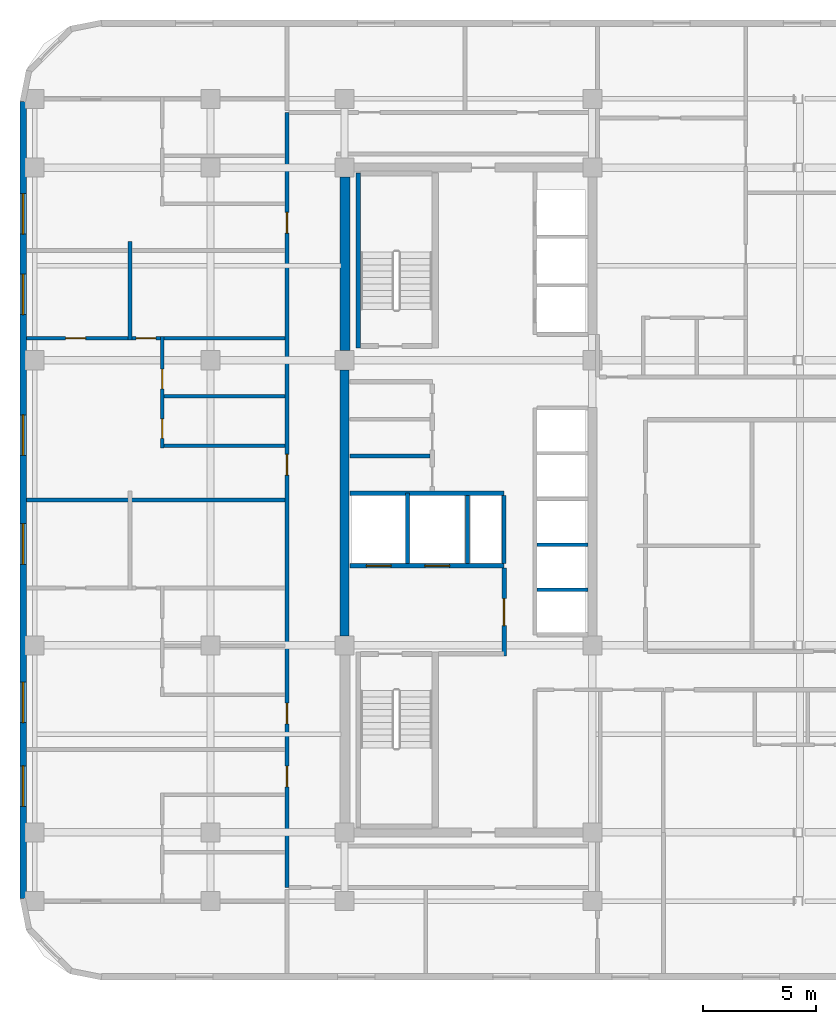
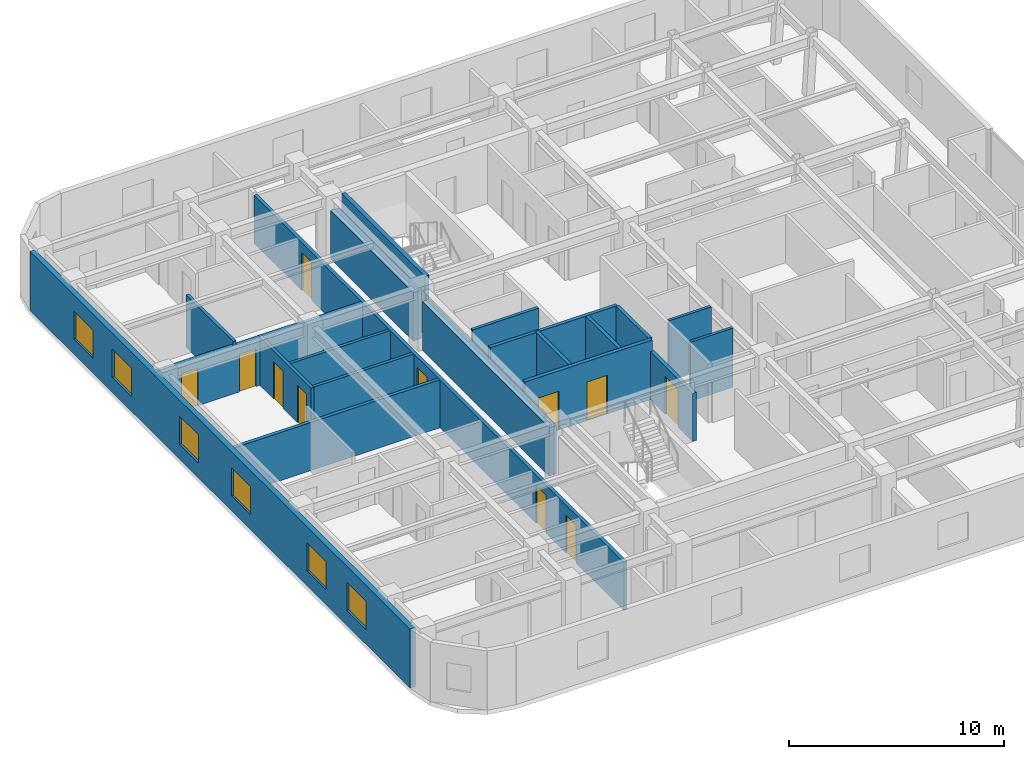
# One storey, part 5 of 9: 20 walls, 11 doors, 6 windows, 17 openings.
"""IFC4 building model written with IfcOpenShell, lengths in metres."""

from ifc_helpers import new_model, si_unit, direction, frame, frame_2d, origin, place, context, subcontext, project, spatial, rectangle, extrude, material, layer, layer_set, type_object, element, fill, save


model = new_model("IFC4")

# Units and contexts
model_context = context("Model", 3, precision=1e-05, world=origin(), true_north=direction((0.0, 1.0)))
body_context = subcontext(model_context, "Body", "Model", "MODEL_VIEW")
ifc_project = project(units=[si_unit("LENGTHUNIT", "METRE"), si_unit("AREAUNIT", "SQUARE_METRE"), si_unit("VOLUMEUNIT", "CUBIC_METRE"), si_unit("PLANEANGLEUNIT", "RADIAN"), si_unit("MASSUNIT", "GRAM", prefix="KILO")], contexts=[model_context])

# Site, building, storey
site_placement = place(None, origin())
site = spatial("IfcSite", under=ifc_project, at=site_placement, CompositionType="ELEMENT")
building_placement = place(site_placement, origin())
building = spatial("IfcBuilding", under=site, at=building_placement, Name="Ochreholt Gables", CompositionType="ELEMENT")
storey_placement = place(building_placement, frame((0.0, 0.0, 124.800048828125)))
storey = spatial("IfcBuildingStorey", under=building, at=storey_placement, Name="L32", CompositionType="ELEMENT", Elevation=124.800048828125)

# Walls
ifc_material_1 = material(Name="Concrete 60 MPa", Category="concrete")
ifc_layer_1 = layer(ifc_material_1, 0.39990234375, Name="Concrete 60 MPa")
ifc_layer_set_1 = layer_set([ifc_layer_1], Name="Concrete 60 MPa")
wall_type_1 = type_object("IfcWallType", Name="WALL-CSW-400", PredefinedType="SHEAR", material=ifc_layer_set_1)
wall_1_placement = place(storey_placement, frame((24.199951171875, 17.97509765625, 0.0), z_axis=(0.0, 0.0, 1.0), x_axis=(0.0, 1.0, 0.0)))
element("IfcWall", 1, at=wall_1_placement, inside=storey, type_object=wall_type_1, Name="L32 Core West Shear Wall WM", PredefinedType="SHEAR", context=body_context, shape_type="SweptSolid", body=[
    extrude(rectangle(XDim=11.7998046875, YDim=0.39990234375, at=frame_2d((5.89990234375, 0.0))), origin(), (0.0, 0.0, 1.0), 2.7490234375),
])
ifc_layer_2 = layer(ifc_material_1, 0.449951171875, Name="Concrete 60 MPa")
ifc_layer_set_2 = layer_set([ifc_layer_2], Name="Concrete 60 MPa")
wall_type_2 = type_object("IfcWallType", Name="WALL-CSW-450", PredefinedType="SHEAR", material=ifc_layer_set_2)
wall_2_placement = place(storey_placement, frame((24.22509765625, 30.625, 0.0), z_axis=(0.0, 0.0, 1.0), x_axis=(0.0, 1.0, 0.0)))
element("IfcWall", 2, at=wall_2_placement, inside=storey, type_object=wall_type_2, Name="L32 Core West Shear Wall WN", PredefinedType="SHEAR", context=body_context, shape_type="SweptSolid", body=[
    extrude(rectangle(XDim=7.699951171875, YDim=0.449951171875, at=frame_2d((3.85009765625, 0.0))), origin(), (0.0, 0.0, 1.0), 2.7490234375),
])

# Wall, openings, windows
ifc_material_2 = material(Name="Precast concrete 40 MPa", Category="concrete")
ifc_layer_3 = layer(ifc_material_2, 0.280029296875, Name="Precast concrete 40 MPa")
ifc_layer_set_3 = layer_set([ifc_layer_3], Name="Precast concrete 40 MPa")
wall_type_3 = type_object("IfcWallType", Name="WALL-EXT-280", PredefinedType="SOLIDWALL", material=ifc_layer_set_3)
wall_3_placement = place(storey_placement, frame((9.93994140625, 41.679931640625, 0.0), z_axis=(0.0, 0.0, 1.0), x_axis=(0.0, -1.0, 0.0)))
wall_3 = element("IfcWall", 3, at=wall_3_placement, inside=storey, type_object=wall_type_3, Name="L32 West Exterior Wall", PredefinedType="SOLIDWALL", context=body_context, shape_type="SweptSolid", body=[
    extrude(rectangle(XDim=35.35986328125, YDim=0.280029296875, at=frame_2d((17.679931640625, 0.0))), origin(), (0.0, 0.0, 1.0), 3.35986328125),
])
opening_1_placement = place(wall_3_placement, frame((29.472900390625, 0.0, 0.85009765625)))
opening_1 = element("IfcOpeningElement", 4, at=opening_1_placement, cuts=wall_3, Name="Opening WN-1", PredefinedType="OPENING", context=body_context, shape_type="SweptSolid", body=[
    extrude(rectangle(XDim=1.800048828125, YDim=1.60009765625, at=frame_2d((0.89990234375, 0.800048828125))), frame((0.0, 0.14990234375, 0.0), z_axis=(0.0, -1.0, 0.0), x_axis=(1.0, 0.0, 0.0)), (0.0, 0.0, 1.0), 0.300048828125),
])
opening_2_placement = place(wall_3_placement, frame((25.762939453125, 0.0, 0.85009765625)))
opening_2 = element("IfcOpeningElement", 5, at=opening_2_placement, cuts=wall_3, Name="Opening WN-1", PredefinedType="OPENING", context=body_context, shape_type="SweptSolid", body=[
    extrude(rectangle(XDim=1.800048828125, YDim=1.60009765625, at=frame_2d((0.89990234375, 0.800048828125))), frame((0.0, 0.14990234375, 0.0), z_axis=(0.0, -1.0, 0.0), x_axis=(1.0, 0.0, 0.0)), (0.0, 0.0, 1.0), 0.300048828125),
])
opening_3_placement = place(wall_3_placement, frame((18.731689453125, 0.0, 0.85009765625)))
opening_3 = element("IfcOpeningElement", 6, at=opening_3_placement, cuts=wall_3, Name="Opening WN-1", PredefinedType="OPENING", context=body_context, shape_type="SweptSolid", body=[
    extrude(rectangle(XDim=1.800048828125, YDim=1.60009765625, at=frame_2d((0.89990234375, 0.800048828125))), frame((0.0, 0.14990234375, 0.0), z_axis=(0.0, -1.0, 0.0), x_axis=(1.0, 0.0, 0.0)), (0.0, 0.0, 1.0), 0.300048828125),
])
opening_4_placement = place(wall_3_placement, frame((13.89990234375, 0.0, 0.85009765625)))
opening_4 = element("IfcOpeningElement", 7, at=opening_4_placement, cuts=wall_3, Name="Opening WN-1", PredefinedType="OPENING", context=body_context, shape_type="SweptSolid", body=[
    extrude(rectangle(XDim=1.800048828125, YDim=1.60009765625, at=frame_2d((0.89990234375, 0.800048828125))), frame((0.0, 0.14990234375, 0.0), z_axis=(0.0, -1.0, 0.0), x_axis=(1.0, 0.0, 0.0)), (0.0, 0.0, 1.0), 0.300048828125),
])
opening_5_placement = place(wall_3_placement, frame((7.65576171875, 0.0, 0.85009765625)))
opening_5 = element("IfcOpeningElement", 8, at=opening_5_placement, cuts=wall_3, Name="Opening WN-1", PredefinedType="OPENING", context=body_context, shape_type="SweptSolid", body=[
    extrude(rectangle(XDim=1.800048828125, YDim=1.60009765625, at=frame_2d((0.89990234375, 0.800048828125))), frame((0.0, 0.14990234375, 0.0), z_axis=(0.0, -1.0, 0.0), x_axis=(1.0, 0.0, 0.0)), (0.0, 0.0, 1.0), 0.300048828125),
])
opening_6_placement = place(wall_3_placement, frame((4.0869140625, 0.0, 0.85009765625)))
opening_6 = element("IfcOpeningElement", 9, at=opening_6_placement, cuts=wall_3, Name="Opening WN-1", PredefinedType="OPENING", context=body_context, shape_type="SweptSolid", body=[
    extrude(rectangle(XDim=1.800048828125, YDim=1.60009765625, at=frame_2d((0.89990234375, 0.800048828125))), frame((0.0, 0.14990234375, 0.0), z_axis=(0.0, -1.0, 0.0), x_axis=(1.0, 0.0, 0.0)), (0.0, 0.0, 1.0), 0.300048828125),
])
ifc_material_3 = material(Name="Triple-Glazed Thermally Broken Aluminium Window", Category="aluminium")
window_type = type_object("IfcWindowType", Name="WIN-RES-1800", PartitioningType="SINGLE_PANEL", PredefinedType="WINDOW", material=ifc_material_3)
window_1_placement = place(opening_1_placement, origin())
window_1 = element("IfcWindow", 10, at=window_1_placement, inside=storey, type_object=window_type, Name="L32 Window W-EXT-W-L32-1", OverallHeight=1.60009765625, OverallWidth=1.800048828125, PartitioningType="SINGLE_PANEL", PredefinedType="WINDOW", context=body_context, shape_type="SweptSolid", body=[
    extrude(rectangle(XDim=1.800048828125, YDim=1.60009765625, at=frame_2d((0.89990234375, 0.800048828125))), frame((0.0, 0.030029296875, 0.0), z_axis=(0.0, -1.0, 0.0), x_axis=(1.0, 0.0, 0.0)), (0.0, 0.0, 1.0), 0.06005859375),
])
fill(opening_1, window_1)
window_2_placement = place(opening_2_placement, origin())
window_2 = element("IfcWindow", 11, at=window_2_placement, inside=storey, type_object=window_type, Name="L32 Window W-EXT-W-L32-2", OverallHeight=1.60009765625, OverallWidth=1.800048828125, PartitioningType="SINGLE_PANEL", PredefinedType="WINDOW", context=body_context, shape_type="SweptSolid", body=[
    extrude(rectangle(XDim=1.800048828125, YDim=1.60009765625, at=frame_2d((0.89990234375, 0.800048828125))), frame((0.0, 0.030029296875, 0.0), z_axis=(0.0, -1.0, 0.0), x_axis=(1.0, 0.0, 0.0)), (0.0, 0.0, 1.0), 0.06005859375),
])
fill(opening_2, window_2)
window_3_placement = place(opening_3_placement, origin())
window_3 = element("IfcWindow", 12, at=window_3_placement, inside=storey, type_object=window_type, Name="L32 Window W-EXT-W-L32-3", OverallHeight=1.60009765625, OverallWidth=1.800048828125, PartitioningType="SINGLE_PANEL", PredefinedType="WINDOW", context=body_context, shape_type="SweptSolid", body=[
    extrude(rectangle(XDim=1.800048828125, YDim=1.60009765625, at=frame_2d((0.89990234375, 0.800048828125))), frame((0.0, 0.030029296875, 0.0), z_axis=(0.0, -1.0, 0.0), x_axis=(1.0, 0.0, 0.0)), (0.0, 0.0, 1.0), 0.06005859375),
])
fill(opening_3, window_3)
window_4_placement = place(opening_4_placement, origin())
window_4 = element("IfcWindow", 13, at=window_4_placement, inside=storey, type_object=window_type, Name="L32 Window W-EXT-W-L32-4", OverallHeight=1.60009765625, OverallWidth=1.800048828125, PartitioningType="SINGLE_PANEL", PredefinedType="WINDOW", context=body_context, shape_type="SweptSolid", body=[
    extrude(rectangle(XDim=1.800048828125, YDim=1.60009765625, at=frame_2d((0.89990234375, 0.800048828125))), frame((0.0, 0.030029296875, 0.0), z_axis=(0.0, -1.0, 0.0), x_axis=(1.0, 0.0, 0.0)), (0.0, 0.0, 1.0), 0.06005859375),
])
fill(opening_4, window_4)
window_5_placement = place(opening_5_placement, origin())
window_5 = element("IfcWindow", 14, at=window_5_placement, inside=storey, type_object=window_type, Name="L32 Window W-EXT-W-L32-5", OverallHeight=1.60009765625, OverallWidth=1.800048828125, PartitioningType="SINGLE_PANEL", PredefinedType="WINDOW", context=body_context, shape_type="SweptSolid", body=[
    extrude(rectangle(XDim=1.800048828125, YDim=1.60009765625, at=frame_2d((0.89990234375, 0.800048828125))), frame((0.0, 0.030029296875, 0.0), z_axis=(0.0, -1.0, 0.0), x_axis=(1.0, 0.0, 0.0)), (0.0, 0.0, 1.0), 0.06005859375),
])
fill(opening_5, window_5)
window_6_placement = place(opening_6_placement, origin())
window_6 = element("IfcWindow", 15, at=window_6_placement, inside=storey, type_object=window_type, Name="L32 Window W-EXT-W-L32-6", OverallHeight=1.60009765625, OverallWidth=1.800048828125, PartitioningType="SINGLE_PANEL", PredefinedType="WINDOW", context=body_context, shape_type="SweptSolid", body=[
    extrude(rectangle(XDim=1.800048828125, YDim=1.60009765625, at=frame_2d((0.89990234375, 0.800048828125))), frame((0.0, 0.030029296875, 0.0), z_axis=(0.0, -1.0, 0.0), x_axis=(1.0, 0.0, 0.0)), (0.0, 0.0, 1.0), 0.06005859375),
])
fill(opening_6, window_6)

# Wall, openings, doors
ifc_material_4 = material(Name="Concrete 40 MPa", Category="concrete")
ifc_layer_4 = layer(ifc_material_4, 0.199951171875, Name="Concrete 40 MPa")
ifc_layer_set_4 = layer_set([ifc_layer_4], Name="Concrete 40 MPa")
wall_type_4 = type_object("IfcWallType", Name="WALL-INT-CF200", PredefinedType="STANDARD", material=ifc_layer_set_4)
wall_4_placement = place(storey_placement, frame((24.449951171875, 21.090087890625, 0.0), z_axis=(0.0, 0.0, 1.0), x_axis=(1.0, 0.0, 0.0)))
wall_4 = element("IfcWall", 16, at=wall_4_placement, inside=storey, type_object=wall_type_4, Name="L32 Interior Wall WI-FFN-L32", PredefinedType="STANDARD", context=body_context, shape_type="SweptSolid", body=[
    extrude(rectangle(XDim=6.830078125, YDim=0.199951171875, at=frame_2d((3.4150390625, 0.0))), origin(), (0.0, 0.0, 1.0), 3.35986328125),
])
opening_7_placement = place(wall_4_placement, frame((0.719970703125, 0.0, 0.0)))
opening_7 = element("IfcOpeningElement", 17, at=opening_7_placement, cuts=wall_4, Name="Opening LD-FF", PredefinedType="OPENING", context=body_context, shape_type="SweptSolid", body=[
    extrude(rectangle(XDim=1.10009765625, YDim=2.199951171875, at=frame_2d((0.550048828125, 1.10009765625))), frame((0.0, 0.10986328125, 0.0), z_axis=(0.0, -1.0, 0.0), x_axis=(1.0, 0.0, 0.0)), (0.0, 0.0, 1.0), 0.219970703125),
])
opening_8_placement = place(wall_4_placement, frame((3.320068359375, 0.0, 0.0)))
opening_8 = element("IfcOpeningElement", 18, at=opening_8_placement, cuts=wall_4, Name="Opening LD-FF", PredefinedType="OPENING", context=body_context, shape_type="SweptSolid", body=[
    extrude(rectangle(XDim=1.10009765625, YDim=2.199951171875, at=frame_2d((0.550048828125, 1.10009765625))), frame((0.0, 0.10986328125, 0.0), z_axis=(0.0, -1.0, 0.0), x_axis=(1.0, 0.0, 0.0)), (0.0, 0.0, 1.0), 0.219970703125),
])
ifc_material_5 = material(Name="Stainless Steel", Category="steel")
door_type_1 = type_object("IfcDoorType", Name="DR-LFT-FF1100", OperationType="NOTDEFINED", PredefinedType="DOOR", material=ifc_material_5)
door_1_placement = place(opening_7_placement, origin())
door_1 = element("IfcDoor", 19, at=door_1_placement, inside=storey, type_object=door_type_1, Name="L32 Door LD-FF1-L32", OperationType="SLIDING_TO_LEFT", OverallHeight=2.199951171875, OverallWidth=1.10009765625, PredefinedType="DOOR", context=body_context, shape_type="SweptSolid", body=[
    extrude(rectangle(XDim=1.10009765625, YDim=2.199951171875, at=frame_2d((0.550048828125, 1.10009765625))), frame((0.0, 0.02490234375, 0.0), z_axis=(0.0, -1.0, 0.0), x_axis=(1.0, 0.0, 0.0)), (0.0, 0.0, 1.0), 0.050048828125),
])
fill(opening_7, door_1)
door_2_placement = place(opening_8_placement, origin())
door_2 = element("IfcDoor", 20, at=door_2_placement, inside=storey, type_object=door_type_1, Name="L32 Door LD-FF2-L32", OperationType="SLIDING_TO_LEFT", OverallHeight=2.199951171875, OverallWidth=1.10009765625, PredefinedType="DOOR", context=body_context, shape_type="SweptSolid", body=[
    extrude(rectangle(XDim=1.10009765625, YDim=2.199951171875, at=frame_2d((0.550048828125, 1.10009765625))), frame((0.0, 0.02490234375, 0.0), z_axis=(0.0, -1.0, 0.0), x_axis=(1.0, 0.0, 0.0)), (0.0, 0.0, 1.0), 0.050048828125),
])
fill(opening_8, door_2)

# Wall, opening, door
wall_5_placement = place(storey_placement, frame((31.280029296875, 17.070068359375, 0.0), z_axis=(0.0, 0.0, 1.0), x_axis=(0.0, 1.0, 0.0)))
wall_5 = element("IfcWall", 21, at=wall_5_placement, inside=storey, type_object=wall_type_4, Name="L32 Interior Wall WI-FFE-L32", PredefinedType="STANDARD", context=body_context, shape_type="SweptSolid", body=[
    extrude(rectangle(XDim=3.919921875, YDim=0.199951171875, at=frame_2d((1.9599609375, 0.0))), origin(), (0.0, 0.0, 1.0), 2.73095703125),
])
opening_9_placement = place(wall_5_placement, frame((1.35009765625, 0.0, 0.0)))
opening_9 = element("IfcOpeningElement", 22, at=opening_9_placement, cuts=wall_5, Name="Opening D-FFL", PredefinedType="OPENING", context=body_context, shape_type="SweptSolid", body=[
    extrude(rectangle(XDim=1.199951171875, YDim=2.14990234375, at=frame_2d((0.60009765625, 1.074951171875))), frame((0.0, 0.10986328125, 0.0), z_axis=(0.0, -1.0, 0.0), x_axis=(1.0, 0.0, 0.0)), (0.0, 0.0, 1.0), 0.219970703125),
])
ifc_material_6 = material(Name="Hollow Metal Steel", Category="steel")
door_type_2 = type_object("IfcDoorType", Name="DR-INT-FFL1200", OperationType="NOTDEFINED", PredefinedType="DOOR", material=ifc_material_6)
door_3_placement = place(opening_9_placement, origin())
door_3 = element("IfcDoor", 23, at=door_3_placement, inside=storey, type_object=door_type_2, Name="L32 Door D-FFL-L32", OperationType="SINGLE_SWING_LEFT", OverallHeight=2.14990234375, OverallWidth=1.199951171875, PredefinedType="DOOR", context=body_context, shape_type="SweptSolid", body=[
    extrude(rectangle(XDim=1.199951171875, YDim=2.14990234375, at=frame_2d((0.60009765625, 1.074951171875))), frame((0.0, 0.02490234375, 0.0), z_axis=(0.0, -1.0, 0.0), x_axis=(1.0, 0.0, 0.0)), (0.0, 0.0, 1.0), 0.050048828125),
])
fill(opening_9, door_3)

# Wall, openings, doors
ifc_material_7 = material(Name="Fire-Rated Gypsum Acoustic Partition", Category="gypsum")
ifc_layer_5 = layer(ifc_material_7, 0.179931640625, Name="Fire-Rated Gypsum Acoustic Partition")
ifc_layer_set_5 = layer_set([ifc_layer_5], Name="Fire-Rated Gypsum Acoustic Partition")
wall_type_5 = type_object("IfcWallType", Name="WALL-INT-CR180", PredefinedType="STANDARD", material=ifc_layer_set_5)
wall_6_placement = place(storey_placement, frame((21.64990234375, 6.800048828125, 0.0), z_axis=(0.0, 0.0, 1.0), x_axis=(0.0, 1.0, 0.0)))
wall_6 = element("IfcWall", 24, at=wall_6_placement, inside=storey, type_object=wall_type_5, Name="L32 Interior Wall WI-C2WCW-L32", PredefinedType="STANDARD", context=body_context, shape_type="SweptSolid", body=[
    extrude(rectangle(XDim=34.39990234375, YDim=0.179931640625, at=frame_2d((17.199951171875, 0.0))), origin(), (0.0, 0.0, 1.0), 2.73095703125),
])
opening_10_placement = place(wall_6_placement, frame((4.471923828125, 0.0, 0.0)))
opening_10 = element("IfcOpeningElement", 25, at=opening_10_placement, cuts=wall_6, Name="Opening D-UN1", PredefinedType="OPENING", context=body_context, shape_type="SweptSolid", body=[
    extrude(rectangle(XDim=0.919921875, YDim=2.14990234375, at=frame_2d((0.4599609375, 1.074951171875))), frame((0.0, 0.099853515625, 0.0), z_axis=(0.0, -1.0, 0.0), x_axis=(1.0, 0.0, 0.0)), (0.0, 0.0, 1.0), 0.199951171875),
])
opening_11_placement = place(wall_6_placement, frame((7.260986328125, 0.0, 0.0)))
opening_11 = element("IfcOpeningElement", 26, at=opening_11_placement, cuts=wall_6, Name="Opening D-UN1", PredefinedType="OPENING", context=body_context, shape_type="SweptSolid", body=[
    extrude(rectangle(XDim=0.919921875, YDim=2.14990234375, at=frame_2d((0.4599609375, 1.074951171875))), frame((0.0, 0.099853515625, 0.0), z_axis=(0.0, -1.0, 0.0), x_axis=(1.0, 0.0, 0.0)), (0.0, 0.0, 1.0), 0.199951171875),
])
opening_12_placement = place(wall_6_placement, frame((18.308349609375, 0.0, 0.0)))
opening_12 = element("IfcOpeningElement", 27, at=opening_12_placement, cuts=wall_6, Name="Opening D-UN1", PredefinedType="OPENING", context=body_context, shape_type="SweptSolid", body=[
    extrude(rectangle(XDim=0.919921875, YDim=2.14990234375, at=frame_2d((0.4599609375, 1.074951171875))), frame((0.0, 0.099853515625, 0.0), z_axis=(0.0, -1.0, 0.0), x_axis=(1.0, 0.0, 0.0)), (0.0, 0.0, 1.0), 0.199951171875),
])
opening_13_placement = place(wall_6_placement, frame((29.044921875, 0.0, 0.0)))
opening_13 = element("IfcOpeningElement", 28, at=opening_13_placement, cuts=wall_6, Name="Opening D-UN1", PredefinedType="OPENING", context=body_context, shape_type="SweptSolid", body=[
    extrude(rectangle(XDim=0.919921875, YDim=2.14990234375, at=frame_2d((0.4599609375, 1.074951171875))), frame((0.0, 0.099853515625, 0.0), z_axis=(0.0, -1.0, 0.0), x_axis=(1.0, 0.0, 0.0)), (0.0, 0.0, 1.0), 0.199951171875),
])
ifc_material_8 = material(Name="Engineered Oak Timber", Category="wood")
door_type_3 = type_object("IfcDoorType", Name="DR-INT-UNT920", OperationType="NOTDEFINED", PredefinedType="DOOR", material=ifc_material_8)
door_4_placement = place(opening_10_placement, origin())
door_4 = element("IfcDoor", 29, at=door_4_placement, inside=storey, type_object=door_type_3, Name="L32 Door D-U-L32W1-ENT", OperationType="SINGLE_SWING_RIGHT", OverallHeight=2.14990234375, OverallWidth=0.919921875, PredefinedType="DOOR", context=body_context, shape_type="SweptSolid", body=[
    extrude(rectangle(XDim=0.919921875, YDim=2.14990234375, at=frame_2d((0.4599609375, 1.074951171875))), frame((0.0, 0.02490234375, 0.0), z_axis=(0.0, -1.0, 0.0), x_axis=(1.0, 0.0, 0.0)), (0.0, 0.0, 1.0), 0.050048828125),
])
fill(opening_10, door_4)
door_5_placement = place(opening_11_placement, origin())
door_5 = element("IfcDoor", 30, at=door_5_placement, inside=storey, type_object=door_type_3, Name="L32 Door D-U-L32W2-ENT", OperationType="SINGLE_SWING_LEFT", OverallHeight=2.14990234375, OverallWidth=0.919921875, PredefinedType="DOOR", context=body_context, shape_type="SweptSolid", body=[
    extrude(rectangle(XDim=0.919921875, YDim=2.14990234375, at=frame_2d((0.4599609375, 1.074951171875))), frame((0.0, 0.02490234375, 0.0), z_axis=(0.0, -1.0, 0.0), x_axis=(1.0, 0.0, 0.0)), (0.0, 0.0, 1.0), 0.050048828125),
])
fill(opening_11, door_5)
door_6_placement = place(opening_12_placement, origin())
door_6 = element("IfcDoor", 31, at=door_6_placement, inside=storey, type_object=door_type_3, Name="L32 Door D-U-L32W3-ENT", OperationType="SINGLE_SWING_RIGHT", OverallHeight=2.14990234375, OverallWidth=0.919921875, PredefinedType="DOOR", context=body_context, shape_type="SweptSolid", body=[
    extrude(rectangle(XDim=0.919921875, YDim=2.14990234375, at=frame_2d((0.4599609375, 1.074951171875))), frame((0.0, 0.02490234375, 0.0), z_axis=(0.0, -1.0, 0.0), x_axis=(1.0, 0.0, 0.0)), (0.0, 0.0, 1.0), 0.050048828125),
])
fill(opening_12, door_6)
door_7_placement = place(opening_13_placement, origin())
door_7 = element("IfcDoor", 32, at=door_7_placement, inside=storey, type_object=door_type_3, Name="L32 Door D-U-L32W4-ENT", OperationType="SINGLE_SWING_LEFT", OverallHeight=2.14990234375, OverallWidth=0.919921875, PredefinedType="DOOR", context=body_context, shape_type="SweptSolid", body=[
    extrude(rectangle(XDim=0.919921875, YDim=2.14990234375, at=frame_2d((0.4599609375, 1.074951171875))), frame((0.0, 0.02490234375, 0.0), z_axis=(0.0, -1.0, 0.0), x_axis=(1.0, 0.0, 0.0)), (0.0, 0.0, 1.0), 0.050048828125),
])
fill(opening_13, door_7)

# Walls
ifc_material_9 = material(Name="Double-Stud Acoustic Demising Wall", Category="gypsum")
ifc_layer_6 = layer(ifc_material_9, 0.179931640625, Name="Double-Stud Acoustic Demising Wall")
ifc_layer_set_6 = layer_set([ifc_layer_6], Name="Double-Stud Acoustic Demising Wall")
wall_type_6 = type_object("IfcWallType", Name="WALL-INT-DM180", PredefinedType="PARTITIONING", material=ifc_layer_set_6)
wall_7_placement = place(storey_placement, frame((10.080078125, 24.0, 0.0), z_axis=(0.0, 0.0, 1.0), x_axis=(1.0, 0.0, 0.0)))
element("IfcWall", 33, at=wall_7_placement, inside=storey, type_object=wall_type_6, Name="L32 Interior Wall WI-C2UDW3-L32", PredefinedType="PARTITIONING", context=body_context, shape_type="SweptSolid", body=[
    extrude(rectangle(XDim=11.47998046875, YDim=0.179931640625, at=frame_2d((5.739990234375, 0.0))), origin(), (0.0, 0.0, 1.0), 2.73095703125),
])
ifc_material_10 = material(Name="Moisture-Resistant Plumbing Chase Wall", Category="gypsum")
ifc_layer_7 = layer(ifc_material_10, 0.159912109375, Name="Moisture-Resistant Plumbing Chase Wall")
ifc_layer_set_7 = layer_set([ifc_layer_7], Name="Moisture-Resistant Plumbing Chase Wall")
wall_type_7 = type_object("IfcWallType", Name="WALL-INT-PL160", PredefinedType="PLUMBINGWALL", material=ifc_layer_set_7)
wall_8_placement = place(storey_placement, frame((16.030029296875, 26.408447265625, 0.0), z_axis=(0.0, 0.0, 1.0), x_axis=(1.0, 0.0, 0.0)))
element("IfcWall", 34, at=wall_8_placement, inside=storey, type_object=wall_type_7, Name="L32 Interior Wall WU-L32W3-FYS", PredefinedType="PLUMBINGWALL", context=body_context, shape_type="SweptSolid", body=[
    extrude(rectangle(XDim=5.530029296875, YDim=0.159912109375, at=frame_2d((2.76513671875, 0.0))), origin(), (0.0, 0.0, 1.0), 2.73095703125),
])

# Wall, openings, doors
wall_9_placement = place(storey_placement, frame((16.110107421875, 26.318359375, 0.0), z_axis=(0.0, 0.0, 1.0), x_axis=(0.0, 1.0, 0.0)))
wall_9 = element("IfcWall", 35, at=wall_9_placement, inside=storey, type_object=wall_type_7, Name="L32 Interior Wall WU-L32W3-WX", PredefinedType="PLUMBINGWALL", context=body_context, shape_type="SweptSolid", body=[
    extrude(rectangle(XDim=4.944091796875, YDim=0.159912109375, at=frame_2d((2.47216796875, 0.0))), origin(), (0.0, 0.0, 1.0), 2.73095703125),
])
opening_14_placement = place(wall_9_placement, frame((0.419921875, 0.0, 0.0)))
opening_14 = element("IfcOpeningElement", 36, at=opening_14_placement, cuts=wall_9, Name="Opening D-BT1", PredefinedType="OPENING", context=body_context, shape_type="SweptSolid", body=[
    extrude(rectangle(XDim=0.860107421875, YDim=2.1201171875, at=frame_2d((0.43017578125, 1.06005859375))), frame((0.0, 0.08984375, 0.0), z_axis=(0.0, -1.0, 0.0), x_axis=(1.0, 0.0, 0.0)), (0.0, 0.0, 1.0), 0.179931640625),
])
opening_15_placement = place(wall_9_placement, frame((2.611328125, 0.0, 0.0)))
opening_15 = element("IfcOpeningElement", 37, at=opening_15_placement, cuts=wall_9, Name="Opening D-GN2", PredefinedType="OPENING", context=body_context, shape_type="SweptSolid", body=[
    extrude(rectangle(XDim=0.8798828125, YDim=2.1201171875, at=frame_2d((0.43994140625, 1.06005859375))), frame((0.0, 0.08984375, 0.0), z_axis=(0.0, -1.0, 0.0), x_axis=(1.0, 0.0, 0.0)), (0.0, 0.0, 1.0), 0.179931640625),
])
door_type_4 = type_object("IfcDoorType", Name="DR-INT-BTH860", OperationType="NOTDEFINED", PredefinedType="DOOR", material=ifc_material_8)
door_8_placement = place(opening_14_placement, origin())
door_8 = element("IfcDoor", 38, at=door_8_placement, inside=storey, type_object=door_type_4, Name="L32 Door D-U-L32W3-BTH", OperationType="SINGLE_SWING_LEFT", OverallHeight=2.1201171875, OverallWidth=0.860107421875, PredefinedType="DOOR", context=body_context, shape_type="SweptSolid", body=[
    extrude(rectangle(XDim=0.860107421875, YDim=2.1201171875, at=frame_2d((0.43017578125, 1.06005859375))), frame((0.0, 0.02490234375, 0.0), z_axis=(0.0, -1.0, 0.0), x_axis=(1.0, 0.0, 0.0)), (0.0, 0.0, 1.0), 0.050048828125),
])
fill(opening_14, door_8)
door_type_5 = type_object("IfcDoorType", Name="DR-INT-GEN880", OperationType="NOTDEFINED", PredefinedType="DOOR", material=ifc_material_8)
door_9_placement = place(opening_15_placement, origin())
door_9 = element("IfcDoor", 39, at=door_9_placement, inside=storey, type_object=door_type_5, Name="L32 Door D-U-L32W3-KIT", OperationType="SINGLE_SWING_RIGHT", OverallHeight=2.1201171875, OverallWidth=0.8798828125, PredefinedType="DOOR", context=body_context, shape_type="SweptSolid", body=[
    extrude(rectangle(XDim=0.8798828125, YDim=2.1201171875, at=frame_2d((0.43994140625, 1.06005859375))), frame((0.0, 0.02490234375, 0.0), z_axis=(0.0, -1.0, 0.0), x_axis=(1.0, 0.0, 0.0)), (0.0, 0.0, 1.0), 0.050048828125),
])
fill(opening_15, door_9)

# Walls
wall_10_placement = place(storey_placement, frame((16.18994140625, 28.599853515625, 0.0), z_axis=(0.0, 0.0, 1.0), x_axis=(1.0, 0.0, 0.0)))
element("IfcWall", 40, at=wall_10_placement, inside=storey, type_object=wall_type_7, Name="L32 Interior Wall WU-L32W3-WK", PredefinedType="PLUMBINGWALL", context=body_context, shape_type="SweptSolid", body=[
    extrude(rectangle(XDim=5.3701171875, YDim=0.159912109375, at=frame_2d((2.68505859375, 0.0))), origin(), (0.0, 0.0, 1.0), 2.73095703125),
])
ifc_material_11 = material(Name="Gypsum Acoustic Stud Partition", Category="gypsum")
ifc_layer_8 = layer(ifc_material_11, 0.1650390625, Name="Gypsum Acoustic Stud Partition")
ifc_layer_set_8 = layer_set([ifc_layer_8], Name="Gypsum Acoustic Stud Partition")
wall_type_8 = type_object("IfcWallType", Name="WALL-INT-PT165", PredefinedType="PARTITIONING", material=ifc_layer_set_8)
wall_11_placement = place(storey_placement, frame((24.449951171875, 25.949951171875, 0.0), z_axis=(0.0, 0.0, 1.0), x_axis=(1.0, 0.0, 0.0)))
element("IfcWall", 41, at=wall_11_placement, inside=storey, type_object=wall_type_8, Name="L32 Interior Wall WI-SRVP1-L32", PredefinedType="PARTITIONING", context=body_context, shape_type="SweptSolid", body=[
    extrude(rectangle(XDim=3.550048828125, YDim=0.1650390625, at=frame_2d((1.77490234375, 0.0))), origin(), (0.0, 0.0, 1.0), 3.35986328125),
])

# Wall, openings, doors
wall_12_placement = place(storey_placement, frame((10.080078125, 31.17236328125, 0.0), z_axis=(0.0, 0.0, 1.0), x_axis=(1.0, 0.0, 0.0)))
wall_12 = element("IfcWall", 42, at=wall_12_placement, inside=storey, type_object=wall_type_8, Name="L32 Interior Wall WU-L32W3-MN", PredefinedType="PARTITIONING", context=body_context, shape_type="SweptSolid", body=[
    extrude(rectangle(XDim=11.47998046875, YDim=0.1650390625, at=frame_2d((5.739990234375, 0.0))), origin(), (0.0, 0.0, 1.0), 2.73095703125),
])
opening_16_placement = place(wall_12_placement, frame((1.75, 0.0, 0.0)))
opening_16 = element("IfcOpeningElement", 43, at=opening_16_placement, cuts=wall_12, Name="Opening D-BD2", PredefinedType="OPENING", context=body_context, shape_type="SweptSolid", body=[
    extrude(rectangle(XDim=0.8798828125, YDim=2.139892578125, at=frame_2d((0.43994140625, 1.06982421875))), frame((0.0, 0.092529296875, 0.0), z_axis=(0.0, -1.0, 0.0), x_axis=(1.0, 0.0, 0.0)), (0.0, 0.0, 1.0), 0.18505859375),
])
opening_17_placement = place(wall_12_placement, frame((4.8701171875, 0.0, 0.0)))
opening_17 = element("IfcOpeningElement", 44, at=opening_17_placement, cuts=wall_12, Name="Opening D-BD2", PredefinedType="OPENING", context=body_context, shape_type="SweptSolid", body=[
    extrude(rectangle(XDim=0.8798828125, YDim=2.139892578125, at=frame_2d((0.43994140625, 1.06982421875))), frame((0.0, 0.092529296875, 0.0), z_axis=(0.0, -1.0, 0.0), x_axis=(1.0, 0.0, 0.0)), (0.0, 0.0, 1.0), 0.18505859375),
])
door_type_6 = type_object("IfcDoorType", Name="DR-INT-BED880", OperationType="NOTDEFINED", PredefinedType="DOOR", material=ifc_material_8)
door_10_placement = place(opening_16_placement, origin())
door_10 = element("IfcDoor", 45, at=door_10_placement, inside=storey, type_object=door_type_6, Name="L32 Door D-U-L32W3-BD1", OperationType="SINGLE_SWING_RIGHT", OverallHeight=2.139892578125, OverallWidth=0.8798828125, PredefinedType="DOOR", context=body_context, shape_type="SweptSolid", body=[
    extrude(rectangle(XDim=0.8798828125, YDim=2.139892578125, at=frame_2d((0.43994140625, 1.06982421875))), frame((0.0, 0.02490234375, 0.0), z_axis=(0.0, -1.0, 0.0), x_axis=(1.0, 0.0, 0.0)), (0.0, 0.0, 1.0), 0.050048828125),
])
fill(opening_16, door_10)
door_11_placement = place(opening_17_placement, origin())
door_11 = element("IfcDoor", 46, at=door_11_placement, inside=storey, type_object=door_type_6, Name="L32 Door D-U-L32W3-BD2", OperationType="SINGLE_SWING_LEFT", OverallHeight=2.139892578125, OverallWidth=0.8798828125, PredefinedType="DOOR", context=body_context, shape_type="SweptSolid", body=[
    extrude(rectangle(XDim=0.8798828125, YDim=2.139892578125, at=frame_2d((0.43994140625, 1.06982421875))), frame((0.0, 0.02490234375, 0.0), z_axis=(0.0, -1.0, 0.0), x_axis=(1.0, 0.0, 0.0)), (0.0, 0.0, 1.0), 0.050048828125),
])
fill(opening_17, door_11)

# Walls
wall_13_placement = place(storey_placement, frame((14.679931640625, 31.09228515625, 0.0), z_axis=(0.0, 0.0, 1.0), x_axis=(0.0, 1.0, 0.0)))
element("IfcWall", 47, at=wall_13_placement, inside=storey, type_object=wall_type_8, Name="L32 Interior Wall WU-L32W3-BSD", PredefinedType="PARTITIONING", context=body_context, shape_type="SweptSolid", body=[
    extrude(rectangle(XDim=4.373779296875, YDim=0.1650390625, at=frame_2d((2.18701171875, 0.0))), origin(), (0.0, 0.0, 1.0), 2.988037109375),
])
ifc_material_12 = material(Name="Gypsum Shaftliner and Steel Stud", Category="steel")
ifc_layer_9 = layer(ifc_material_12, 0.14990234375, Name="Gypsum Shaftliner and Steel Stud")
ifc_layer_set_9 = layer_set([ifc_layer_9], Name="Gypsum Shaftliner and Steel Stud")
wall_type_9 = type_object("IfcWallType", Name="WALL-INT-SH150", PredefinedType="STANDARD", material=ifc_layer_set_9)
for number, where, z_axis, x_axis, name in (
    (48, (32.739990234375, 20.02001953125, 0.0), (0.0, 0.0, 1.0), (1.0, 0.0, 0.0), "L32 Interior Wall WI-LFHE-DH1-L32"),
    (49, (32.739990234375, 22.02001953125, 0.0), (0.0, 0.0, 1.0), (1.0, 0.0, 0.0), "L32 Interior Wall WI-LFHE-DH2-L32"),
):
    element("IfcWall", number, at=place(storey_placement, frame(where, z_axis=z_axis, x_axis=x_axis)), inside=storey, type_object=wall_type_9, Name=name, PredefinedType="STANDARD", context=body_context, shape_type="SweptSolid", body=[
        extrude(rectangle(XDim=2.260009765625, YDim=0.14990234375, at=frame_2d((1.1298828125, 0.0))), origin(), (0.0, 0.0, 1.0), 3.35986328125),
    ])
ifc_layer_10 = layer(ifc_material_12, 0.179931640625, Name="Gypsum Shaftliner and Steel Stud")
ifc_layer_set_10 = layer_set([ifc_layer_10], Name="Gypsum Shaftliner and Steel Stud")
wall_type_10 = type_object("IfcWallType", Name="WALL-INT-SH180", PredefinedType="STANDARD", material=ifc_layer_set_10)
wall_14_placement = place(storey_placement, frame((27.0, 21.18994140625, 0.0), z_axis=(0.0, 0.0, 1.0), x_axis=(0.0, 1.0, 0.0)))
element("IfcWall", 50, at=wall_14_placement, inside=storey, type_object=wall_type_10, Name="L32 Interior Wall WI-FFDIV-L32", PredefinedType="STANDARD", context=body_context, shape_type="SweptSolid", body=[
    extrude(rectangle(XDim=3.110107421875, YDim=0.179931640625, at=frame_2d((1.55517578125, 0.0))), origin(), (0.0, 0.0, 1.0), 3.35986328125),
])
wall_15_placement = place(storey_placement, frame((24.449951171875, 24.300048828125, 0.0), z_axis=(0.0, 0.0, 1.0), x_axis=(1.0, 0.0, 0.0)))
element("IfcWall", 51, at=wall_15_placement, inside=storey, type_object=wall_type_10, Name="L32 Interior Wall WI-FFBK-L32", PredefinedType="STANDARD", context=body_context, shape_type="SweptSolid", body=[
    extrude(rectangle(XDim=6.830078125, YDim=0.179931640625, at=frame_2d((3.4150390625, 0.0))), origin(), (0.0, 0.0, 1.0), 3.35986328125),
])
for number, where, z_axis, x_axis, name in (
    (52, (29.64990234375, 21.18994140625, 0.0), (0.0, 0.0, 1.0), (0.0, 1.0, 0.0), "L32 Interior Wall WI-FFSH-L32"),
    (53, (31.280029296875, 21.18994140625, 0.0), (0.0, 0.0, 1.0), (0.0, 1.0, 0.0), "L32 Interior Wall WI-RSE-L32"),
):
    element("IfcWall", number, at=place(storey_placement, frame(where, z_axis=z_axis, x_axis=x_axis)), inside=storey, type_object=wall_type_10, Name=name, PredefinedType="STANDARD", context=body_context, shape_type="SweptSolid", body=[
        extrude(rectangle(XDim=3.02001953125, YDim=0.179931640625, at=frame_2d((1.510009765625, 0.0))), origin(), (0.0, 0.0, 1.0), 3.35986328125),
    ])
ifc_material_13 = material(Name="Concrete 50 MPa", Category="concrete")
ifc_layer_11 = layer(ifc_material_13, 0.219970703125, Name="Concrete 50 MPa")
ifc_layer_set_11 = layer_set([ifc_layer_11], Name="Concrete 50 MPa")
wall_type_11 = type_object("IfcWallType", Name="WALL-STW-220", PredefinedType="SHEAR", material=ifc_layer_set_11)
wall_16_placement = place(storey_placement, frame((24.81005859375, 30.739990234375, 0.0), z_axis=(0.0, 0.0, 1.0), x_axis=(0.0, 1.0, 0.0)))
element("IfcWall", 54, at=wall_16_placement, inside=storey, type_object=wall_type_11, Name="L32 Exit Stair 2 West Wall", PredefinedType="SHEAR", context=body_context, shape_type="SweptSolid", body=[
    extrude(rectangle(XDim=7.760009765625, YDim=0.219970703125, at=frame_2d((3.8798828125, 0.0))), origin(), (0.0, 0.0, 1.0), 3.35986328125),
])

save(model, "model.ifc")
